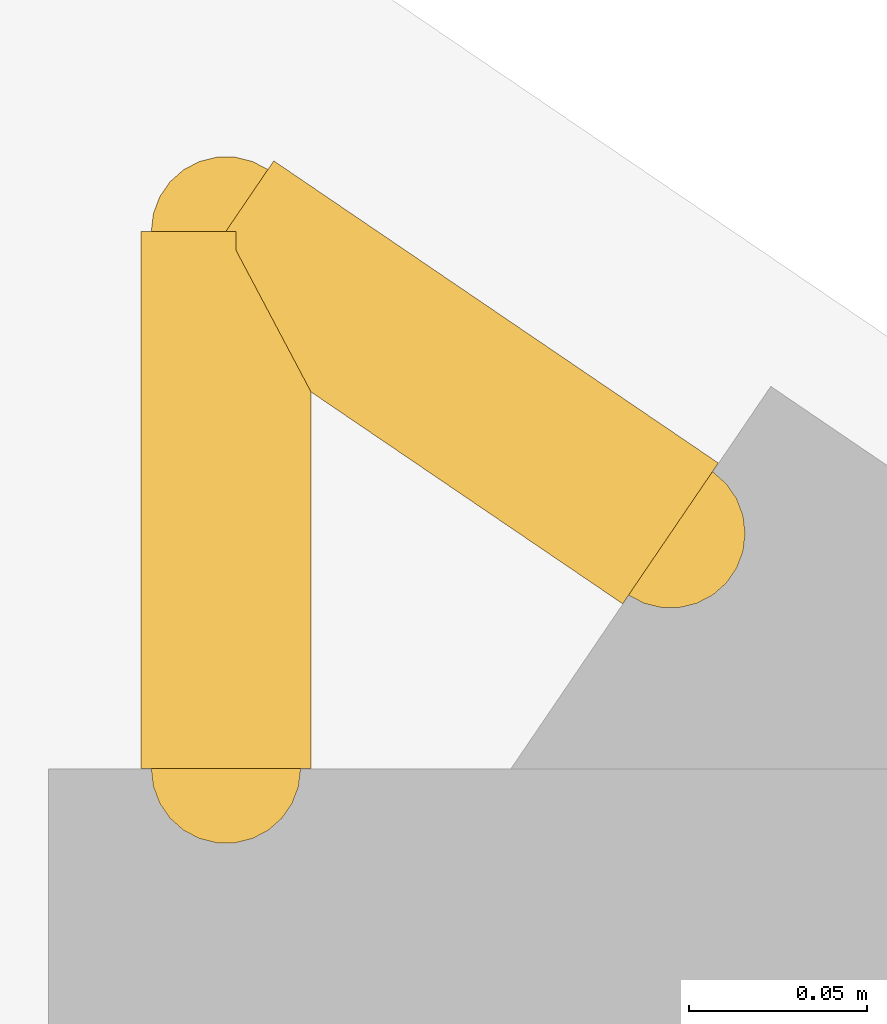
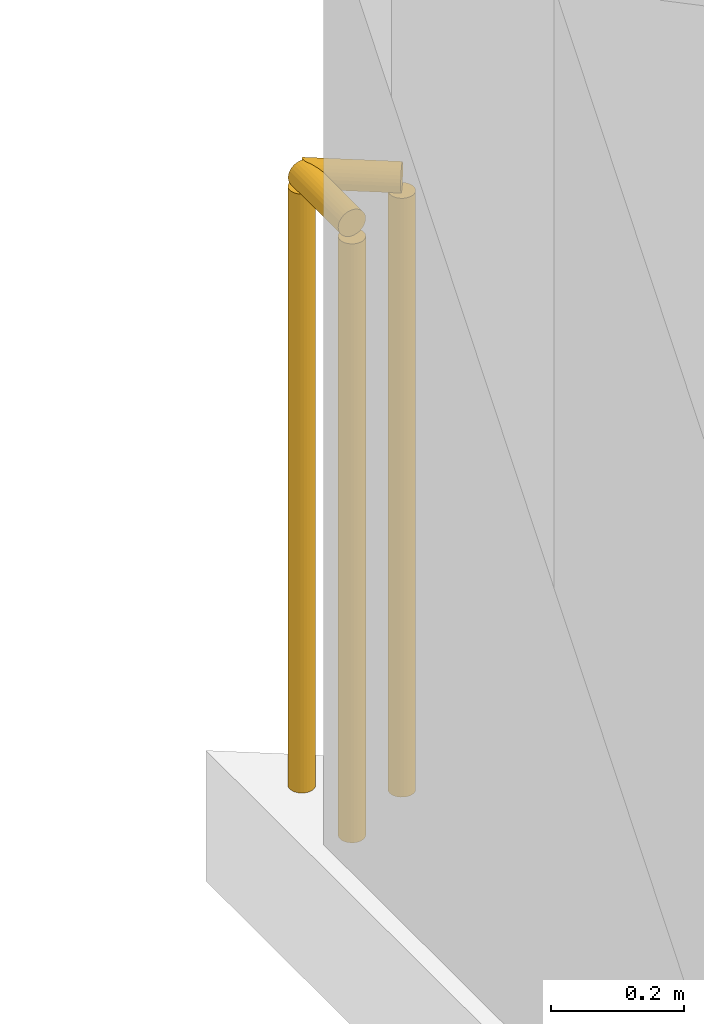
# One storey, part 18 of 19: 2 railings.
"""IFC4 building model written with IfcOpenShell, lengths in metres."""

from ifc_helpers import new_model, si_unit, direction, frame, origin, origin_2d, place, context, subcontext, project, spatial, circle, extrude, material, type_object, element, save


model = new_model("IFC4")

# Units and contexts
model_context = context("Model", 3, precision=1e-05, world=origin(), true_north=direction((0.0, 1.0)))
body_context = subcontext(model_context, "Body", "Model", "MODEL_VIEW")
ifc_project = project(units=[si_unit("LENGTHUNIT", "METRE"), si_unit("AREAUNIT", "SQUARE_METRE"), si_unit("VOLUMEUNIT", "CUBIC_METRE"), si_unit("PLANEANGLEUNIT", "RADIAN"), si_unit("MASSUNIT", "GRAM", prefix="KILO")], contexts=[model_context])

# Site, building, storey
site_placement = place(None, origin())
site = spatial("IfcSite", under=ifc_project, at=site_placement, CompositionType="ELEMENT")
building_placement = place(site_placement, origin())
building = spatial("IfcBuilding", under=site, at=building_placement, Name="Varnakote Quay Hospital", CompositionType="ELEMENT")
storey_placement = place(building_placement, frame((0.0, 0.0, 54.10009765625)))
storey = spatial("IfcBuildingStorey", under=building, at=storey_placement, Name="L13", CompositionType="ELEMENT", Elevation=54.10009765625)

# Railings
ifc_material = material(Name="Anodised aluminium 6063-T6 Bronze", Category="aluminium")
railing_type = type_object("IfcRailingType", Name="RLG-EXT-GUARD-1150", PredefinedType="GUARDRAIL", material=ifc_material)
railing_1_placement = place(storey_placement, frame((2.679931640625, 43.497802734375, 0.0)))
element("IfcRailing", 1, at=railing_1_placement, inside=storey, type_object=railing_type, Name="L13 Slab Edge Perimeter Safety Guard", PredefinedType="GUARDRAIL", context=body_context, shape_type="SweptSolid", body=[
    extrude(circle(Radius=0.02392578125, at=origin_2d()), frame((0.0, 0.0, 1.1259765625), z_axis=(0.0, 1.0, 0.0), x_axis=(-1.0, 0.0, 0.0)), (0.0, 0.0, 1.0), 0.151123046875),
    extrude(circle(Radius=0.02099609375, at=origin_2d()), origin(), (0.0, 0.0, 1.0), 1.101806640625),
    extrude(circle(Radius=0.02099609375, at=origin_2d()), frame((0.0, 0.151123046875, 0.0)), (0.0, 0.0, 1.0), 1.101806640625),
])
railing_2_placement = place(storey_placement, frame((2.679931640625, 43.64892578125, 0.0)))
element("IfcRailing", 2, at=railing_2_placement, inside=storey, type_object=railing_type, Name="L13 Slab Edge Perimeter Safety Guard", PredefinedType="GUARDRAIL", context=body_context, shape_type="SweptSolid", body=[
    extrude(circle(Radius=0.02392578125, at=origin_2d()), frame((0.0, 0.0, 1.1259765625), z_axis=(0.827046660574, -0.562133277109, 0.0), x_axis=(0.562133277109, 0.827046660574, 0.0)), (0.0, 0.0, 1.0), 0.151123046875),
    extrude(circle(Radius=0.02099609375, at=origin_2d()), origin(), (0.0, 0.0, 1.0), 1.101806640625),
    extrude(circle(Radius=0.02099609375, at=origin_2d()), frame((0.125, -0.0849609375, 0.0)), (0.0, 0.0, 1.0), 1.101806640625),
])

save(model, "model.ifc")
